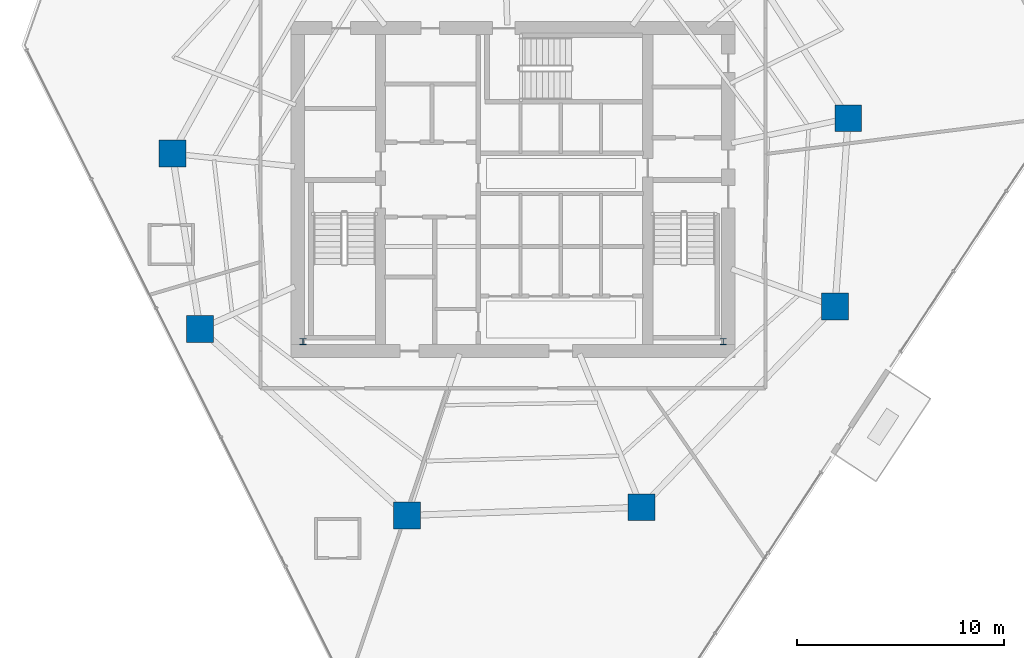
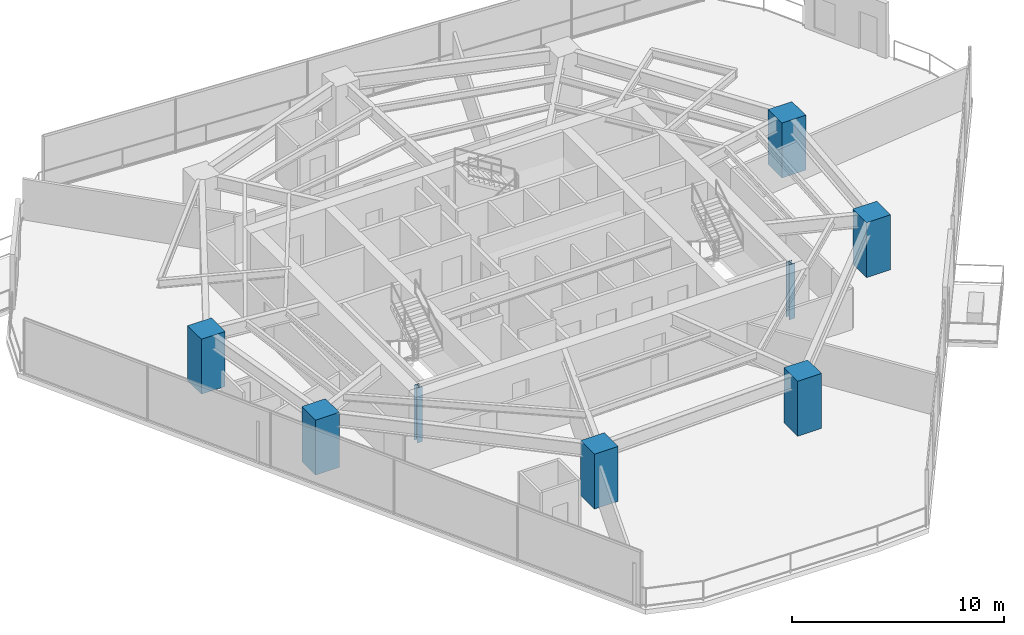
# One storey, part 1 of 28: 8 columns.
"""IFC4 building model written with IfcOpenShell, lengths in metres."""

from ifc_helpers import new_model, si_unit, direction, frame, origin, origin_2d, place, context, subcontext, project, spatial, rectangle, i_section, extrude, material, material_profile, profile_set, type_object, element, save


model = new_model("IFC4")

# Units and contexts
model_context = context("Model", 3, precision=1e-05, world=origin(), true_north=direction((0.0, 1.0)))
body_context = subcontext(model_context, "Body", "Model", "MODEL_VIEW")
ifc_project = project(units=[si_unit("LENGTHUNIT", "METRE"), si_unit("AREAUNIT", "SQUARE_METRE"), si_unit("VOLUMEUNIT", "CUBIC_METRE"), si_unit("PLANEANGLEUNIT", "RADIAN"), si_unit("MASSUNIT", "GRAM", prefix="KILO")], contexts=[model_context])

# Site, building, storey
site_placement = place(None, origin())
site = spatial("IfcSite", under=ifc_project, at=site_placement, CompositionType="ELEMENT")
building_placement = place(site_placement, origin())
building = spatial("IfcBuilding", under=site, at=building_placement, Name="Qarnah Convention Tower", CompositionType="ELEMENT")
storey_placement = place(building_placement, frame((0.0, 0.0, 54.60009765625)))
storey = spatial("IfcBuildingStorey", under=building, at=storey_placement, Name="L13", CompositionType="ELEMENT", Elevation=54.60009765625)

# Columns
ifc_material_1 = material(Name="Concrete C60/75", Category="concrete")
ifc_material_profile_1 = material_profile(ifc_material_1, rectangle(XDim=1.300048828125, YDim=1.300048828125, at=origin_2d()), Name="RC-COL-1300X1300")
ifc_profile_set_1 = profile_set([ifc_material_profile_1], Name="Concrete C60/75")
column_type_1 = type_object("IfcColumnType", Name="COL-Z1-1300", PredefinedType="COLUMN", material=ifc_profile_set_1)
for number, where, z_axis, x_axis, name in (
    (1, (53.387939453125, 29.841064453125, 0.0), (0.0, 0.0, 1.0), (1.0, 0.0, 0.0), "L13 plumb column PC-Z1-01"),
    (2, (20.740966796875, 28.1298828125, 0.0), (0.0, 0.0, 1.0), (1.0, 0.0, 0.0), "L13 plumb column PC-Z1-05"),
    (3, (22.0810546875, 19.6689453125, 0.0), (0.0, 0.0, 1.0), (1.0, 0.0, 0.0), "L13 plumb column PC-Z1-06"),
    (4, (32.0859375, 10.659912109375, 0.0), (0.0, 0.0, 1.0), (1.0, 0.0, 0.0), "L13 plumb column PC-Z1-07"),
    (5, (43.39990234375, 11.054931640625, 0.0), (0.0, 0.0, 1.0), (1.0, 0.0, 0.0), "L13 plumb column PC-Z1-08"),
    (6, (52.751953125, 20.739990234375, 0.0), (0.0, 0.0, 1.0), (1.0, 0.0, 0.0), "L13 plumb column PC-Z1-09"),
):
    element("IfcColumn", number, at=place(storey_placement, frame(where, z_axis=z_axis, x_axis=x_axis)), inside=storey, type_object=column_type_1, Name=name, PredefinedType="COLUMN", context=body_context, shape_type="SweptSolid", body=[
        extrude(rectangle(XDim=1.300048828125, YDim=1.300048828125, at=origin_2d()), origin(), (0.0, 0.0, 1.0), 3.169921875),
    ])
ifc_material_2 = material(Name="Structural steel S355JR", Category="steel")
ifc_material_profile_2 = material_profile(ifc_material_2, i_section(OverallWidth=0.300048828125, OverallDepth=0.300048828125, WebThickness=0.010986328125, FlangeThickness=0.01904296875, at=origin_2d()), Name="HEB300")
ifc_profile_set_2 = profile_set([ifc_material_profile_2], Name="Structural steel S355JR")
column_type_2 = type_object("IfcColumnType", Name="PIL-SHF-300", PredefinedType="PILASTER", material=ifc_profile_set_2)
for number, where, z_axis, x_axis, name in (
    (7, (27.050048828125, 19.050048828125, 0.0), (0.0, 0.0, 1.0), (1.0, 0.0, 0.0), "L13 core spine steel pilaster 1"),
    (8, (47.35009765625, 19.050048828125, 0.0), (0.0, 0.0, 1.0), (1.0, 0.0, 0.0), "L13 core spine steel pilaster 2"),
):
    element("IfcColumn", number, at=place(storey_placement, frame(where, z_axis=z_axis, x_axis=x_axis)), inside=storey, type_object=column_type_2, Name=name, PredefinedType="PILASTER", context=body_context, shape_type="SweptSolid", body=[
        extrude(i_section(OverallWidth=0.300048828125, OverallDepth=0.300048828125, WebThickness=0.010986328125, FlangeThickness=0.01904296875, at=origin_2d()), origin(), (0.0, 0.0, 1.0), 3.169921875),
    ])

save(model, "model.ifc")
